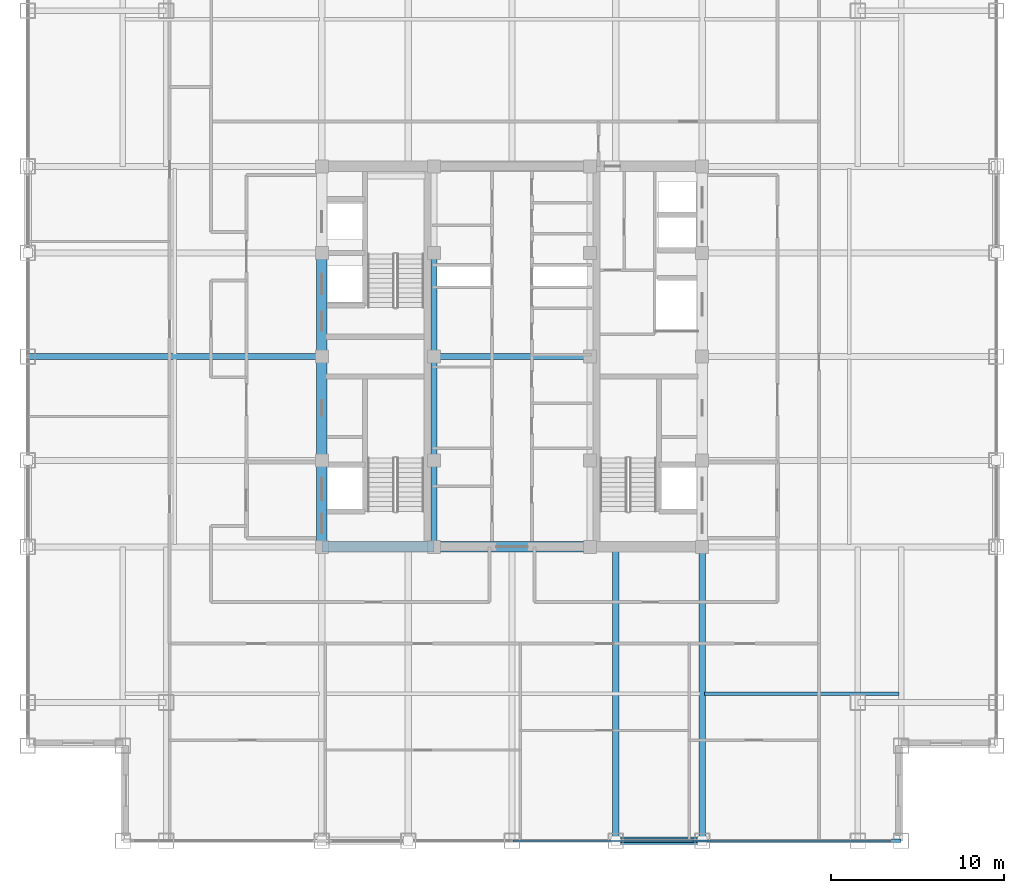
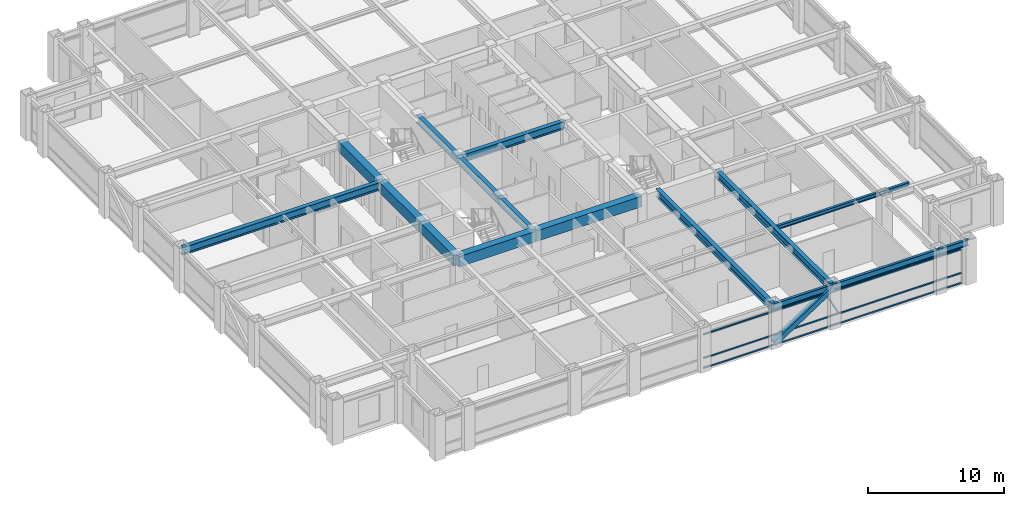
# One storey, part 7 of 22: 16 beams, 5 members, 1 element without a shape of its own.
"""IFC4 building model written with IfcOpenShell, lengths in metres."""

from ifc_helpers import new_model, si_unit, direction, frame, origin, origin_2d, place, context, subcontext, project, spatial, rectangle, hollow_rectangle, i_section, extrude, source, transform, mapped, material, material_profile, profile_set, type_object, element, aggregate, save


model = new_model("IFC4")

# Units and contexts
model_context = context("Model", 3, precision=1e-05, world=origin(), true_north=direction((0.0, 1.0)))
body_context = subcontext(model_context, "Body", "Model", "MODEL_VIEW")
ifc_project = project(units=[si_unit("LENGTHUNIT", "METRE"), si_unit("AREAUNIT", "SQUARE_METRE"), si_unit("VOLUMEUNIT", "CUBIC_METRE"), si_unit("PLANEANGLEUNIT", "RADIAN"), si_unit("MASSUNIT", "GRAM", prefix="KILO")], contexts=[model_context])

# Site, building, storey
site_placement = place(None, origin())
site = spatial("IfcSite", under=ifc_project, at=site_placement, CompositionType="ELEMENT")
building_placement = place(site_placement, origin())
building = spatial("IfcBuilding", under=site, at=building_placement, Name="Khorayat Bourse Tower", CompositionType="ELEMENT")
storey_placement = place(building_placement, frame((0.0, 0.0, 293.5)))
storey = spatial("IfcBuildingStorey", under=building, at=storey_placement, Name="L69", CompositionType="ELEMENT", Elevation=293.5)

# Beams
ifc_material_1 = material(Name="Steel ASTM A992 Grade 50", Category="steel")
ifc_material_profile_1 = material_profile(ifc_material_1, i_section(OverallWidth=0.35498046875, OverallDepth=0.695068359375, WebThickness=0.015380859375, FlangeThickness=0.02490234375, FilletRadius=0.01806640625, at=origin_2d()), Name="W690X217")
ifc_profile_set_1 = profile_set([ifc_material_profile_1], Name="Steel ASTM A992 Grade 50")
beam_type_1 = type_object("IfcBeamType", Name="BM-GIRD-690", PredefinedType="BEAM", material=ifc_profile_set_1)
shared_shape_1 = source(origin(), body_context, "Body", "SweptSolid", [
    extrude(i_section(OverallWidth=0.35498046875, OverallDepth=0.695068359375, WebThickness=0.015380859375, FlangeThickness=0.02490234375, FilletRadius=0.01806640625, at=origin_2d()), origin(), (0.0, 0.0, 1.0), 5.0),
])
beam_1_placement = place(storey_placement, frame((-4.5, -11.0, 3.4326171875), z_axis=(0.0, 1.0, 0.0), x_axis=(-1.0, 0.0, 0.0)))
element("IfcBeam", 1, at=beam_1_placement, inside=storey, type_object=beam_type_1, Name="L69 BM-GIRD-690 BM-L69-CRX-05", PredefinedType="BEAM", context=body_context, shape_type="MappedRepresentation", body=[
    mapped(shared_shape_1, transform((0.0, 0.0, 0.0), scale=1.0)),
])
shared_shape_2 = source(origin(), body_context, "Body", "SweptSolid", [
    extrude(i_section(OverallWidth=0.35498046875, OverallDepth=0.695068359375, WebThickness=0.015380859375, FlangeThickness=0.02490234375, FilletRadius=0.01806640625, at=origin_2d()), origin(), (0.0, 0.0, 1.0), 6.0),
])
for number, where, z_axis, x_axis, name in (
    (2, (-4.5, -6.0, 3.4326171875), (0.0, 1.0, 0.0), (-1.0, 0.0, 0.0), "L69 BM-GIRD-690 BM-L69-CRX-06"),
    (3, (-4.5, 0.0, 3.4326171875), (0.0, 1.0, 0.0), (-1.0, 0.0, 0.0), "L69 BM-GIRD-690 BM-L69-CRX-07"),
):
    element("IfcBeam", number, at=place(storey_placement, frame(where, z_axis=z_axis, x_axis=x_axis)), inside=storey, type_object=beam_type_1, Name=name, PredefinedType="BEAM", context=body_context, shape_type="MappedRepresentation", body=[
        mapped(shared_shape_2, transform((0.0, 0.0, 0.0), scale=1.0)),
    ])
shared_shape_3 = source(origin(), body_context, "Body", "SweptSolid", [
    extrude(i_section(OverallWidth=0.35498046875, OverallDepth=0.695068359375, WebThickness=0.015380859375, FlangeThickness=0.02490234375, FilletRadius=0.01806640625, at=origin_2d()), origin(), (0.0, 0.0, 1.0), 9.0),
])
beam_2_placement = place(storey_placement, frame((-4.5, 0.0, 3.4326171875), z_axis=(1.0, 0.0, 0.0), x_axis=(0.0, 1.0, 0.0)))
element("IfcBeam", 4, at=beam_2_placement, inside=storey, type_object=beam_type_1, Name="L69 BM-GIRD-690 BM-L69-CRY-23", PredefinedType="BEAM", context=body_context, shape_type="MappedRepresentation", body=[
    mapped(shared_shape_3, transform((0.0, 0.0, 0.0), scale=1.0)),
])
ifc_material_2 = material(Name="Concrete C60/75", Category="concrete")
ifc_material_profile_2 = material_profile(ifc_material_2, rectangle(XDim=0.60009765625, YDim=0.949951171875, at=origin_2d()), Name="RC 600x950")
ifc_profile_set_2 = profile_set([ifc_material_profile_2], Name="Concrete C60/75")
beam_type_2 = type_object("IfcBeamType", Name="BM-COUP-950", PredefinedType="BEAM", material=ifc_profile_set_2)
shared_shape_4 = source(origin(), body_context, "Body", "SweptSolid", [
    extrude(rectangle(XDim=0.60009765625, YDim=0.949951171875, at=origin_2d()), origin(), (0.0, 0.0, 1.0), 5.0),
])
beam_3_placement = place(storey_placement, frame((-11.0, -11.0, 3.304931640625), z_axis=(0.0, 1.0, 0.0), x_axis=(-1.0, 0.0, 0.0)))
element("IfcBeam", 5, at=beam_3_placement, inside=storey, type_object=beam_type_2, Name="L69 BM-COUP-950 BM-L69-CRX-01", PredefinedType="BEAM", context=body_context, shape_type="MappedRepresentation", body=[
    mapped(shared_shape_4, transform((0.0, 0.0, 0.0), scale=1.0)),
])
shared_shape_5 = source(origin(), body_context, "Body", "SweptSolid", [
    extrude(rectangle(XDim=0.60009765625, YDim=0.949951171875, at=origin_2d()), origin(), (0.0, 0.0, 1.0), 6.0),
])
for number, where, z_axis, x_axis, name in (
    (6, (-11.0, -6.0, 3.304931640625), (0.0, 1.0, 0.0), (-1.0, 0.0, 0.0), "L69 BM-COUP-950 BM-L69-CRX-02"),
    (7, (-11.0, 0.0, 3.304931640625), (0.0, 1.0, 0.0), (-1.0, 0.0, 0.0), "L69 BM-COUP-950 BM-L69-CRX-03"),
):
    element("IfcBeam", number, at=place(storey_placement, frame(where, z_axis=z_axis, x_axis=x_axis)), inside=storey, type_object=beam_type_2, Name=name, PredefinedType="BEAM", context=body_context, shape_type="MappedRepresentation", body=[
        mapped(shared_shape_5, transform((0.0, 0.0, 0.0), scale=1.0)),
    ])
shared_shape_6 = source(origin(), body_context, "Body", "SweptSolid", [
    extrude(rectangle(XDim=0.60009765625, YDim=0.949951171875, at=origin_2d()), origin(), (0.0, 0.0, 1.0), 6.5),
])
beam_4_placement = place(storey_placement, frame((-11.0, -11.0, 3.304931640625), z_axis=(1.0, 0.0, 0.0), x_axis=(0.0, 1.0, 0.0)))
element("IfcBeam", 8, at=beam_4_placement, inside=storey, type_object=beam_type_2, Name="L69 BM-COUP-950 BM-L69-CRY-17", PredefinedType="BEAM", context=body_context, shape_type="MappedRepresentation", body=[
    mapped(shared_shape_6, transform((0.0, 0.0, 0.0), scale=1.0)),
])
shared_shape_7 = source(origin(), body_context, "Body", "SweptSolid", [
    extrude(rectangle(XDim=0.60009765625, YDim=0.949951171875, at=origin_2d()), origin(), (0.0, 0.0, 1.0), 9.0),
])
beam_5_placement = place(storey_placement, frame((-4.5, -11.0, 3.304931640625), z_axis=(1.0, 0.0, 0.0), x_axis=(0.0, 1.0, 0.0)))
element("IfcBeam", 9, at=beam_5_placement, inside=storey, type_object=beam_type_2, Name="L69 BM-COUP-950 BM-L69-CRY-18", PredefinedType="BEAM", context=body_context, shape_type="MappedRepresentation", body=[
    mapped(shared_shape_7, transform((0.0, 0.0, 0.0), scale=1.0)),
])

# Member
ifc_material_3 = material(Name="Steel EN 10025-4 S460M", Category="steel")
ifc_material_profile_3 = material_profile(ifc_material_3, hollow_rectangle(XDim=0.449951171875, YDim=0.449951171875, WallThickness=0.02490234375, at=origin_2d()), Name="HSS 450x450x25")
ifc_profile_set_3 = profile_set([ifc_material_profile_3], Name="Steel EN 10025-4 S460M")
member_type_1 = type_object("IfcMemberType", Name="MBR-TUBE-450", PredefinedType="BRACE", material=ifc_profile_set_3)
shared_shape_8 = source(origin(), body_context, "Body", "SweptSolid", [
    extrude(hollow_rectangle(XDim=0.449951171875, YDim=0.449951171875, WallThickness=0.02490234375, at=origin_2d()), origin(), (0.0, 0.0, 1.0), 5.979736328125),
])
member_1_placement = place(storey_placement, frame((6.0, -28.0, 0.25), z_axis=(0.836141536525, 0.0, 0.548513747227), x_axis=(0.0, 1.0, 0.0)))
element("IfcMember", 10, at=member_1_placement, inside=storey, type_object=member_type_1, Name="L69 Perimeter Tube Brace 02", PredefinedType="BRACE", context=body_context, shape_type="MappedRepresentation", body=[
    mapped(shared_shape_8, transform((0.0, 0.0, 0.0), scale=1.0)),
])

# Beams
shared_shape_9 = source(origin(), body_context, "Body", "SweptSolid", [
    extrude(i_section(OverallWidth=0.35498046875, OverallDepth=0.695068359375, WebThickness=0.015380859375, FlangeThickness=0.02490234375, FilletRadius=0.01806640625, at=origin_2d()), origin(), (0.0, 0.0, 1.0), 17.0),
])
for number, where, z_axis, x_axis, name in (
    (11, (6.0, -28.0, 3.4326171875), (0.0, 1.0, 0.0), (-1.0, 0.0, 0.0), "L69 BM-GIRD-690 BM-L69-RADY-071"),
    (12, (11.0, -28.0, 3.4326171875), (0.0, 1.0, 0.0), (-1.0, 0.0, 0.0), "L69 BM-GIRD-690 BM-L69-RADY-073"),
    (13, (-28.0, 0.0, 3.4326171875), (1.0, 0.0, 0.0), (0.0, 1.0, 0.0), "L69 BM-GIRD-690 BM-L69-RADX-079"),
):
    element("IfcBeam", number, at=place(storey_placement, frame(where, z_axis=z_axis, x_axis=x_axis)), inside=storey, type_object=beam_type_1, Name=name, PredefinedType="BEAM", context=body_context, shape_type="MappedRepresentation", body=[
        mapped(shared_shape_9, transform((0.0, 0.0, 0.0), scale=1.0)),
    ])
ifc_material_profile_4 = material_profile(ifc_material_1, i_section(OverallWidth=0.202880859375, OverallDepth=0.346923828125, WebThickness=0.0078125, FlangeThickness=0.013427734375, FilletRadius=0.010009765625, at=origin_2d()), Name="W360X64")
ifc_profile_set_4 = profile_set([ifc_material_profile_4], Name="Steel ASTM A992 Grade 50")
beam_type_3 = type_object("IfcBeamType", Name="BM-JOIST-360", PredefinedType="JOIST", material=ifc_profile_set_4)
shared_shape_10 = source(origin(), body_context, "Body", "SweptSolid", [
    extrude(i_section(OverallWidth=0.202880859375, OverallDepth=0.346923828125, WebThickness=0.0078125, FlangeThickness=0.013427734375, FilletRadius=0.010009765625, at=origin_2d()), origin(), (0.0, 0.0, 1.0), 11.240234375),
])
beam_6_placement = place(storey_placement, frame((11.1298828125, -19.5, 3.6064453125), z_axis=(1.0, 0.0, 0.0), x_axis=(0.0, 1.0, 0.0)))
element("IfcBeam", 14, at=beam_6_placement, inside=storey, type_object=beam_type_3, Name="L69 BM-JOIST-360 BM-L69-JSTX-098", PredefinedType="JOIST", context=body_context, shape_type="MappedRepresentation", body=[
    mapped(shared_shape_10, transform((0.0, 0.0, 0.0), scale=1.0)),
])
ifc_material_profile_5 = material_profile(ifc_material_1, i_section(OverallWidth=0.214111328125, OverallDepth=0.549072265625, WebThickness=0.0146484375, FlangeThickness=0.023681640625, FilletRadius=0.013916015625, at=origin_2d()), Name="W530X138")
ifc_profile_set_5 = profile_set([ifc_material_profile_5], Name="Steel ASTM A992 Grade 50")
beam_type_4 = type_object("IfcBeamType", Name="BM-SPAN-530", PredefinedType="SPANDREL", material=ifc_profile_set_5)
shared_shape_11 = source(origin(), body_context, "Body", "SweptSolid", [
    extrude(i_section(OverallWidth=0.214111328125, OverallDepth=0.549072265625, WebThickness=0.0146484375, FlangeThickness=0.023681640625, FilletRadius=0.013916015625, at=origin_2d()), origin(), (0.0, 0.0, 1.0), 2.5),
])
beam_7_placement = place(storey_placement, frame((20.0, -28.0, 3.505615234375), z_axis=(1.0, 0.0, 0.0), x_axis=(0.0, 1.0, 0.0)))
element("IfcBeam", 15, at=beam_7_placement, inside=storey, type_object=beam_type_4, Name="L69 BM-SPAN-530 BM-L69-SPN-031", PredefinedType="SPANDREL", context=body_context, shape_type="MappedRepresentation", body=[
    mapped(shared_shape_11, transform((0.0, 0.0, 0.0), scale=1.0)),
])
shared_shape_12 = source(origin(), body_context, "Body", "SweptSolid", [
    extrude(i_section(OverallWidth=0.214111328125, OverallDepth=0.549072265625, WebThickness=0.0146484375, FlangeThickness=0.023681640625, FilletRadius=0.013916015625, at=origin_2d()), origin(), (0.0, 0.0, 1.0), 9.0),
])
beam_8_placement = place(storey_placement, frame((11.0, -28.0, 3.505615234375), z_axis=(1.0, 0.0, 0.0), x_axis=(0.0, 1.0, 0.0)))
element("IfcBeam", 16, at=beam_8_placement, inside=storey, type_object=beam_type_4, Name="L69 BM-SPAN-530 BM-L69-SPN-030", PredefinedType="SPANDREL", context=body_context, shape_type="MappedRepresentation", body=[
    mapped(shared_shape_12, transform((0.0, 0.0, 0.0), scale=1.0)),
])
shared_shape_13 = source(origin(), body_context, "Body", "SweptSolid", [
    extrude(i_section(OverallWidth=0.214111328125, OverallDepth=0.549072265625, WebThickness=0.0146484375, FlangeThickness=0.023681640625, FilletRadius=0.013916015625, at=origin_2d()), origin(), (0.0, 0.0, 1.0), 5.0),
])
beam_9_placement = place(storey_placement, frame((6.0, -28.0, 3.505615234375), z_axis=(1.0, 0.0, 0.0), x_axis=(0.0, 1.0, 0.0)))
element("IfcBeam", 17, at=beam_9_placement, inside=storey, type_object=beam_type_4, Name="L69 BM-SPAN-530 BM-L69-SPN-029", PredefinedType="SPANDREL", context=body_context, shape_type="MappedRepresentation", body=[
    mapped(shared_shape_13, transform((0.0, 0.0, 0.0), scale=1.0)),
])

# Curtain wall, members
ifc_material_4 = material(Name="Aluminium EN AW-6063 T6", Category="aluminium")
curtain_wall_type = type_object("IfcCurtainWallType", Name="CW-SYS-04", PredefinedType="NOTDEFINED", material=ifc_material_4)
curtain_wall_placement = place(storey_placement, origin())
curtain_wall = element("IfcCurtainWall", 18, at=curtain_wall_placement, inside=storey, type_object=curtain_wall_type, Name="L69 Curtain Wall CW-L69-S1", PredefinedType="NOTDEFINED")
ifc_material_profile_6 = material_profile(ifc_material_4, hollow_rectangle(XDim=0.1201171875, YDim=0.1201171875, WallThickness=0.0048828125, at=origin_2d()), Name="ALU 120x120x5")
ifc_profile_set_6 = profile_set([ifc_material_profile_6], Name="Aluminium EN AW-6063 T6")
member_type_2 = type_object("IfcMemberType", Name="CWM-DIAG-120", PredefinedType="MULLION", material=ifc_profile_set_6)
shared_shape_14 = source(origin(), body_context, "Body", "SweptSolid", [
    extrude(hollow_rectangle(XDim=0.1201171875, YDim=0.1201171875, WallThickness=0.0048828125, at=origin_2d()), origin(), (0.0, 0.0, 1.0), 2.0791015625),
])
member_2_placement = place(storey_placement, frame((11.4541015625, -28.0, 1.090087890625), z_axis=(-0.465717394116, 0.0, 0.884933505309), x_axis=(0.0, -1.0, 0.0)))
member_2 = element("IfcMember", 19, at=member_2_placement, type_object=member_type_2, Name="CW-L69-S1 Faceted Diagonal Mullion 2", PredefinedType="MULLION", context=body_context, shape_type="MappedRepresentation", body=[
    mapped(shared_shape_14, transform((0.0, 0.0, 0.0), scale=1.0)),
])
ifc_material_profile_7 = material_profile(ifc_material_4, hollow_rectangle(XDim=0.1201171875, YDim=0.1201171875, WallThickness=0.0048828125, at=origin_2d()), Name="ALU 120x120x5")
ifc_profile_set_7 = profile_set([ifc_material_profile_7], Name="Aluminium EN AW-6063 T6")
member_type_3 = type_object("IfcMemberType", Name="CWT-HORZ-120", PredefinedType="USERDEFINED", material=ifc_profile_set_7)
shared_shape_15 = source(origin(), body_context, "Body", "SweptSolid", [
    extrude(hollow_rectangle(XDim=0.1201171875, YDim=0.1201171875, WallThickness=0.0048828125, at=origin_2d()), origin(), (0.0, 0.0, 1.0), 21.81982421875),
])
member_3_placement = place(storey_placement, frame((0.06005859375, -28.0, 0.06005859375), z_axis=(1.0, 0.0, 0.0), x_axis=(0.0, 1.0, 0.0)))
member_3 = element("IfcMember", 20, at=member_3_placement, type_object=member_type_3, Name="CW-L69-S1 Horizontal Transom 2-1", ObjectType="TRANSOM", PredefinedType="USERDEFINED", context=body_context, shape_type="MappedRepresentation", body=[
    mapped(shared_shape_15, transform((0.0, 0.0, 0.0), scale=1.0)),
])
member_4_placement = place(storey_placement, frame((0.06005859375, -28.0, 0.949951171875), z_axis=(1.0, 0.0, 0.0), x_axis=(0.0, 1.0, 0.0)))
member_4 = element("IfcMember", 21, at=member_4_placement, type_object=member_type_3, Name="CW-L69-S1 Horizontal Transom 2-2", ObjectType="TRANSOM", PredefinedType="USERDEFINED", context=body_context, shape_type="MappedRepresentation", body=[
    mapped(shared_shape_15, transform((0.0, 0.0, 0.0), scale=1.0)),
])
member_5_placement = place(storey_placement, frame((0.06005859375, -28.0, 3.070068359375), z_axis=(1.0, 0.0, 0.0), x_axis=(0.0, 1.0, 0.0)))
member_5 = element("IfcMember", 22, at=member_5_placement, type_object=member_type_3, Name="CW-L69-S1 Horizontal Transom 2-3", ObjectType="TRANSOM", PredefinedType="USERDEFINED", context=body_context, shape_type="MappedRepresentation", body=[
    mapped(shared_shape_15, transform((0.0, 0.0, 0.0), scale=1.0)),
])
aggregate(curtain_wall, [member_3, member_4, member_5, member_2])

save(model, "model.ifc")
